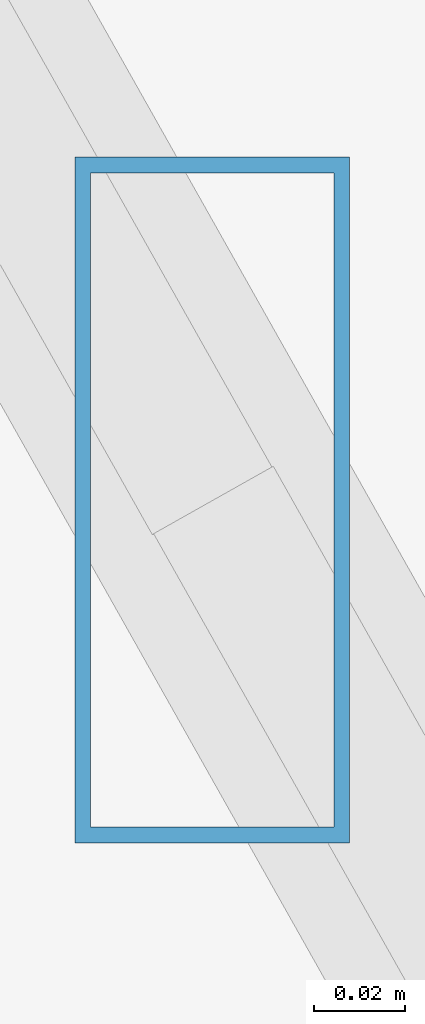
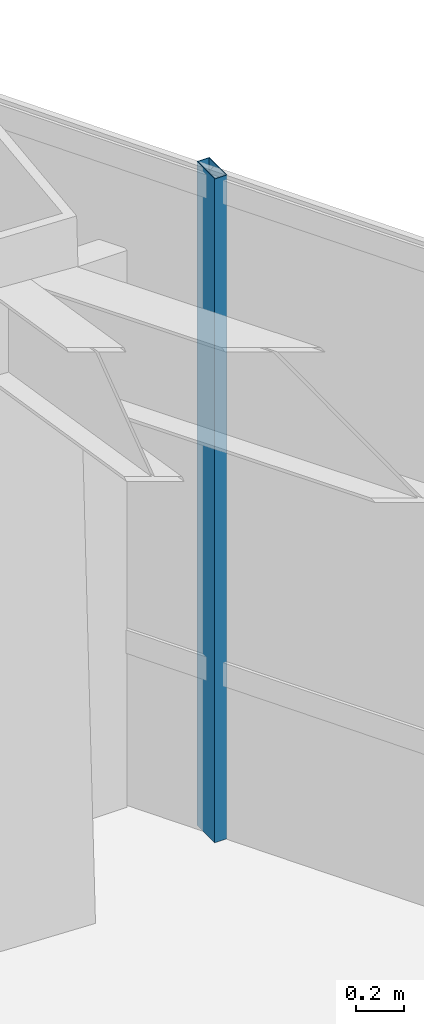
# One storey, part 33 of 44: 1 member, 1 element without a shape of its own.
"""IFC4 building model written with IfcOpenShell, lengths in metres."""

from ifc_helpers import new_model, si_unit, direction, frame, origin, origin_2d, place, context, subcontext, project, spatial, hollow_rectangle, extrude, source, transform, mapped, material, material_profile, profile_set, type_object, type_shapes, element, aggregate, save


model = new_model("IFC4")

# Units and contexts
model_context = context("Model", 3, precision=1e-05, world=origin(), true_north=direction((0.0, 1.0)))
body_context = subcontext(model_context, "Body", "Model", "MODEL_VIEW")
ifc_project = project(units=[si_unit("LENGTHUNIT", "METRE"), si_unit("AREAUNIT", "SQUARE_METRE"), si_unit("VOLUMEUNIT", "CUBIC_METRE"), si_unit("PLANEANGLEUNIT", "RADIAN"), si_unit("MASSUNIT", "GRAM", prefix="KILO")], contexts=[model_context])

# Site, building, storey
site_placement = place(None, origin())
site = spatial("IfcSite", under=ifc_project, at=site_placement, CompositionType="ELEMENT")
building_placement = place(site_placement, origin())
building = spatial("IfcBuilding", under=site, at=building_placement, Name="Caelisora Broadcast Tower", CompositionType="ELEMENT")
storey_placement = place(building_placement, frame((0.0, 0.0, 198.64990234375)))
storey = spatial("IfcBuildingStorey", under=building, at=storey_placement, Name="L52", CompositionType="ELEMENT", Elevation=198.64990234375)

# Curtain wall, member
ifc_material_1 = material(Name="Unitised Aluminium and Low-E Glass Curtain Wall", Category="glass")
curtain_wall_type = type_object("IfcCurtainWallType", Name="CW-Z4", PredefinedType="NOTDEFINED", material=ifc_material_1)
curtain_wall_placement = place(storey_placement, origin())
curtain_wall = element("IfcCurtainWall", 1, at=curtain_wall_placement, inside=storey, type_object=curtain_wall_type, Name="L52 curtain wall CW-Z4", PredefinedType="NOTDEFINED")
ifc_material_2 = material(Name="Aluminium 6063-T6 Anodised Terracotta Bronze", Category="aluminium")
ifc_material_profile = material_profile(ifc_material_2, hollow_rectangle(XDim=0.06005859375, YDim=0.14990234375, WallThickness=0.00341796875, at=origin_2d()), Name="Aluminium 6063-T6 Anodised Terracotta Bronze")
ifc_profile_set = profile_set([ifc_material_profile], Name="Aluminium 6063-T6 Anodised Terracotta Bronze")
member_type = type_object("IfcMemberType", Name="CWM-03", PredefinedType="MULLION", material=ifc_profile_set)
shared_shape = source(origin(), body_context, "Body", "SweptSolid", [
    extrude(hollow_rectangle(XDim=0.06005859375, YDim=0.14990234375, WallThickness=0.00341796875, at=origin_2d()), origin(), (0.0, 0.0, 1.0), 3.400146484375),
])
type_shapes(member_type, [shared_shape])
member_placement = place(storey_placement, frame((44.35888671875, 46.49072265625, 0.0), z_axis=(0.0, 0.0, 1.0), x_axis=(1.0, 0.0, 0.0)))
member = element("IfcMember", 2, at=member_placement, type_object=member_type, Name="L52-CW-B01 mullion #1", PredefinedType="MULLION", context=body_context, shape_type="MappedRepresentation", body=[
    mapped(shared_shape, transform((0.0, 0.0, 0.0), scale=1.0)),
])
aggregate(curtain_wall, [member])

save(model, "model.ifc")
